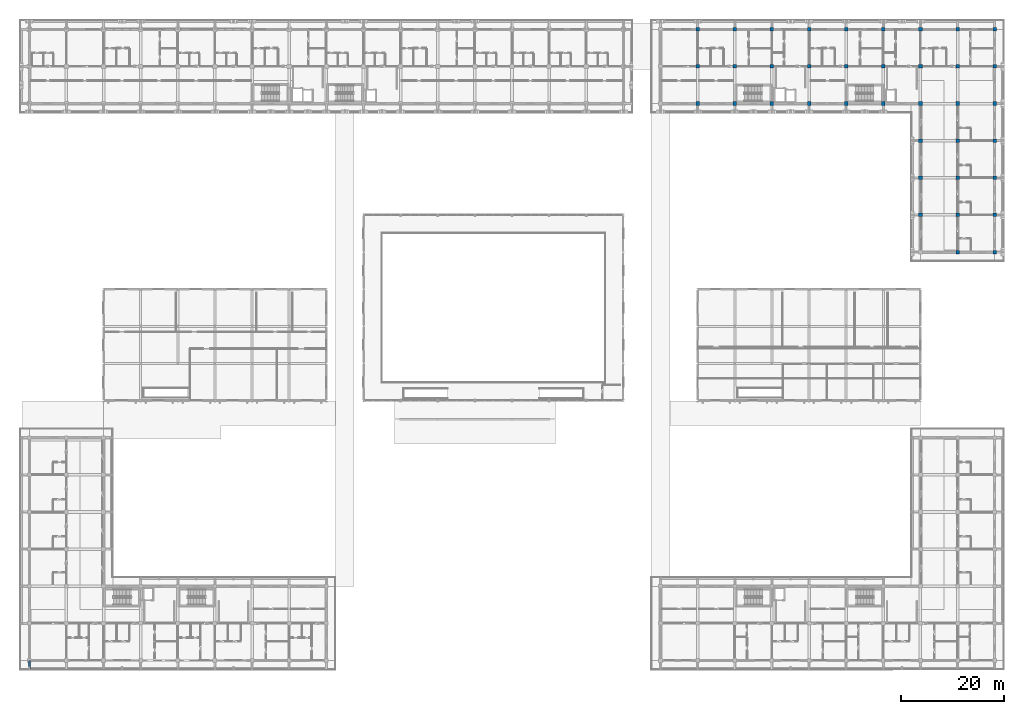
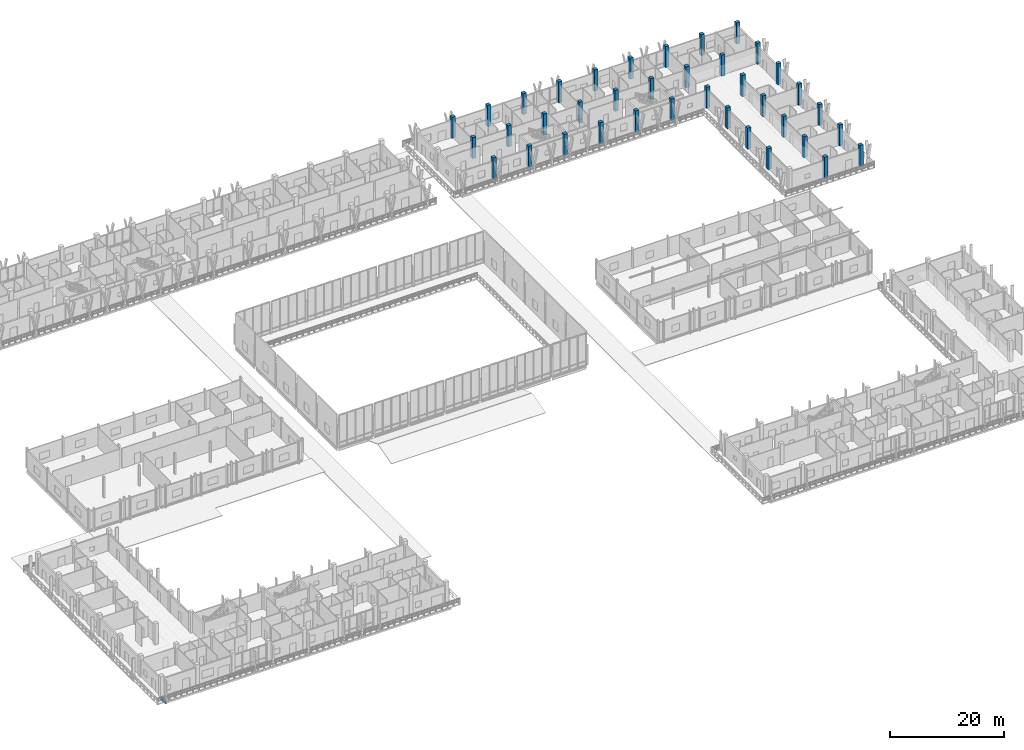
# One storey, part 13 of 110: 38 columns, 1 beam.
"""IFC4 building model written with IfcOpenShell, lengths in metres."""

from ifc_helpers import new_model, si_unit, direction, frame, origin, origin_2d, place, context, subcontext, project, spatial, rectangle, extrude, material, material_profile, profile_set, type_object, element, save


model = new_model("IFC4")

# Units and contexts
model_context = context("Model", 3, precision=1e-05, world=origin(), true_north=direction((0.0, 1.0)))
body_context = subcontext(model_context, "Body", "Model", "MODEL_VIEW")
ifc_project = project(units=[si_unit("LENGTHUNIT", "METRE"), si_unit("AREAUNIT", "SQUARE_METRE"), si_unit("VOLUMEUNIT", "CUBIC_METRE"), si_unit("PLANEANGLEUNIT", "RADIAN"), si_unit("MASSUNIT", "GRAM", prefix="KILO")], contexts=[model_context])

# Site, building, storey
site_placement = place(None, origin())
site = spatial("IfcSite", under=ifc_project, at=site_placement, CompositionType="ELEMENT")
building_placement = place(site_placement, origin())
building = spatial("IfcBuilding", under=site, at=building_placement, Name="Suanplinth Sawtooth Commons", CompositionType="ELEMENT")
storey_placement = place(building_placement, frame((0.0, 0.0, 4.5)))
storey = spatial("IfcBuildingStorey", under=building, at=storey_placement, Name="L01", CompositionType="ELEMENT", Elevation=4.5)

# Columns
ifc_material_1 = material(Name="Concrete C40/50", Category="concrete")
ifc_material_profile_1 = material_profile(ifc_material_1, rectangle(XDim=0.699951171875, YDim=0.699951171875, at=origin_2d()), Name="RC-COL 700x700")
ifc_profile_set_1 = profile_set([ifc_material_profile_1], Name="Concrete C40/50")
column_type = type_object("IfcColumnType", Name="C-02", PredefinedType="COLUMN", material=ifc_profile_set_1)
for number, where, z_axis, x_axis, name in (
    (1, (129.60009765625, 108.0, 0.0), (0.0, 0.0, 1.0), (1.0, 0.0, 0.0), "Column L01 19/R"),
    (2, (129.60009765625, 115.199951171875, 0.0), (0.0, 0.0, 1.0), (1.0, 0.0, 0.0), "Column L01 19/S"),
    (3, (129.60009765625, 122.39990234375, 0.0), (0.0, 0.0, 1.0), (1.0, 0.0, 0.0), "Column L01 19/T"),
    (4, (136.800048828125, 108.0, 0.0), (0.0, 0.0, 1.0), (1.0, 0.0, 0.0), "Column L01 20/R"),
    (5, (136.800048828125, 115.199951171875, 0.0), (0.0, 0.0, 1.0), (1.0, 0.0, 0.0), "Column L01 20/S"),
    (6, (136.800048828125, 122.39990234375, 0.0), (0.0, 0.0, 1.0), (1.0, 0.0, 0.0), "Column L01 20/T"),
    (7, (144.0, 108.0, 0.0), (0.0, 0.0, 1.0), (1.0, 0.0, 0.0), "Column L01 21/R"),
    (8, (144.0, 115.199951171875, 0.0), (0.0, 0.0, 1.0), (1.0, 0.0, 0.0), "Column L01 21/S"),
    (9, (144.0, 122.39990234375, 0.0), (0.0, 0.0, 1.0), (1.0, 0.0, 0.0), "Column L01 21/T"),
    (10, (151.199951171875, 108.0, 0.0), (0.0, 0.0, 1.0), (1.0, 0.0, 0.0), "Column L01 22/R"),
    (11, (151.199951171875, 115.199951171875, 0.0), (0.0, 0.0, 1.0), (1.0, 0.0, 0.0), "Column L01 22/S"),
    (12, (151.199951171875, 122.39990234375, 0.0), (0.0, 0.0, 1.0), (1.0, 0.0, 0.0), "Column L01 22/T"),
    (13, (158.39990234375, 108.0, 0.0), (0.0, 0.0, 1.0), (1.0, 0.0, 0.0), "Column L01 23/R"),
    (14, (158.39990234375, 115.199951171875, 0.0), (0.0, 0.0, 1.0), (1.0, 0.0, 0.0), "Column L01 23/S"),
    (15, (158.39990234375, 122.39990234375, 0.0), (0.0, 0.0, 1.0), (1.0, 0.0, 0.0), "Column L01 23/T"),
    (16, (165.60009765625, 108.0, 0.0), (0.0, 0.0, 1.0), (1.0, 0.0, 0.0), "Column L01 24/R"),
    (17, (165.60009765625, 115.199951171875, 0.0), (0.0, 0.0, 1.0), (1.0, 0.0, 0.0), "Column L01 24/S"),
    (18, (165.60009765625, 122.39990234375, 0.0), (0.0, 0.0, 1.0), (1.0, 0.0, 0.0), "Column L01 24/T"),
    (19, (172.800048828125, 86.39990234375, 0.0), (0.0, 0.0, 1.0), (1.0, 0.0, 0.0), "Column L01 25/N"),
    (20, (172.800048828125, 93.60009765625, 0.0), (0.0, 0.0, 1.0), (1.0, 0.0, 0.0), "Column L01 25/P"),
    (21, (172.800048828125, 100.800048828125, 0.0), (0.0, 0.0, 1.0), (1.0, 0.0, 0.0), "Column L01 25/Q"),
    (22, (172.800048828125, 108.0, 0.0), (0.0, 0.0, 1.0), (1.0, 0.0, 0.0), "Column L01 25/R"),
    (23, (172.800048828125, 115.199951171875, 0.0), (0.0, 0.0, 1.0), (1.0, 0.0, 0.0), "Column L01 25/S"),
    (24, (172.800048828125, 122.39990234375, 0.0), (0.0, 0.0, 1.0), (1.0, 0.0, 0.0), "Column L01 25/T"),
    (25, (180.0, 79.199951171875, 0.0), (0.0, 0.0, 1.0), (1.0, 0.0, 0.0), "Column L01 26/M"),
    (26, (180.0, 86.39990234375, 0.0), (0.0, 0.0, 1.0), (1.0, 0.0, 0.0), "Column L01 26/N"),
    (27, (180.0, 93.60009765625, 0.0), (0.0, 0.0, 1.0), (1.0, 0.0, 0.0), "Column L01 26/P"),
    (28, (180.0, 100.800048828125, 0.0), (0.0, 0.0, 1.0), (1.0, 0.0, 0.0), "Column L01 26/Q"),
    (29, (180.0, 108.0, 0.0), (0.0, 0.0, 1.0), (1.0, 0.0, 0.0), "Column L01 26/R"),
    (30, (180.0, 115.199951171875, 0.0), (0.0, 0.0, 1.0), (1.0, 0.0, 0.0), "Column L01 26/S"),
    (31, (180.0, 122.39990234375, 0.0), (0.0, 0.0, 1.0), (1.0, 0.0, 0.0), "Column L01 26/T"),
    (32, (187.199951171875, 79.199951171875, 0.0), (0.0, 0.0, 1.0), (1.0, 0.0, 0.0), "Column L01 27/M"),
    (33, (187.199951171875, 86.39990234375, 0.0), (0.0, 0.0, 1.0), (1.0, 0.0, 0.0), "Column L01 27/N"),
    (34, (187.199951171875, 93.60009765625, 0.0), (0.0, 0.0, 1.0), (1.0, 0.0, 0.0), "Column L01 27/P"),
    (35, (187.199951171875, 100.800048828125, 0.0), (0.0, 0.0, 1.0), (1.0, 0.0, 0.0), "Column L01 27/Q"),
    (36, (187.199951171875, 108.0, 0.0), (0.0, 0.0, 1.0), (1.0, 0.0, 0.0), "Column L01 27/R"),
    (37, (187.199951171875, 115.199951171875, 0.0), (0.0, 0.0, 1.0), (1.0, 0.0, 0.0), "Column L01 27/S"),
    (38, (187.199951171875, 122.39990234375, 0.0), (0.0, 0.0, 1.0), (1.0, 0.0, 0.0), "Column L01 27/T"),
):
    element("IfcColumn", number, at=place(storey_placement, frame(where, z_axis=z_axis, x_axis=x_axis)), inside=storey, type_object=column_type, Name=name, PredefinedType="COLUMN", context=body_context, shape_type="SweptSolid", body=[
        extrude(rectangle(XDim=0.699951171875, YDim=0.699951171875, at=origin_2d()), origin(), (0.0, 0.0, 1.0), 4.5),
    ])

# Beam
ifc_material_2 = material(Name="Precast concrete C40/50", Category="concrete")
ifc_material_profile_2 = material_profile(ifc_material_2, rectangle(XDim=0.300048828125, YDim=0.5, at=origin_2d()), Name="PC-BM 300x500")
ifc_profile_set_2 = profile_set([ifc_material_profile_2], Name="Precast concrete C40/50")
beam_type = type_object("IfcBeamType", Name="B-07", PredefinedType="BEAM", material=ifc_profile_set_2)
beam_placement = place(storey_placement, frame((0.0, 0.0, -0.429931640625), z_axis=(0.0, -1.0, 0.0), x_axis=(1.0, 0.0, 0.0)))
element("IfcBeam", 39, at=beam_placement, inside=storey, type_object=beam_type, Name="Balcony Outrigger L01-D-S-0", PredefinedType="BEAM", context=body_context, shape_type="SweptSolid", body=[
    extrude(rectangle(XDim=0.300048828125, YDim=0.5, at=origin_2d()), origin(), (0.0, 0.0, 1.0), 1.639892578125),
])

save(model, "model.ifc")
